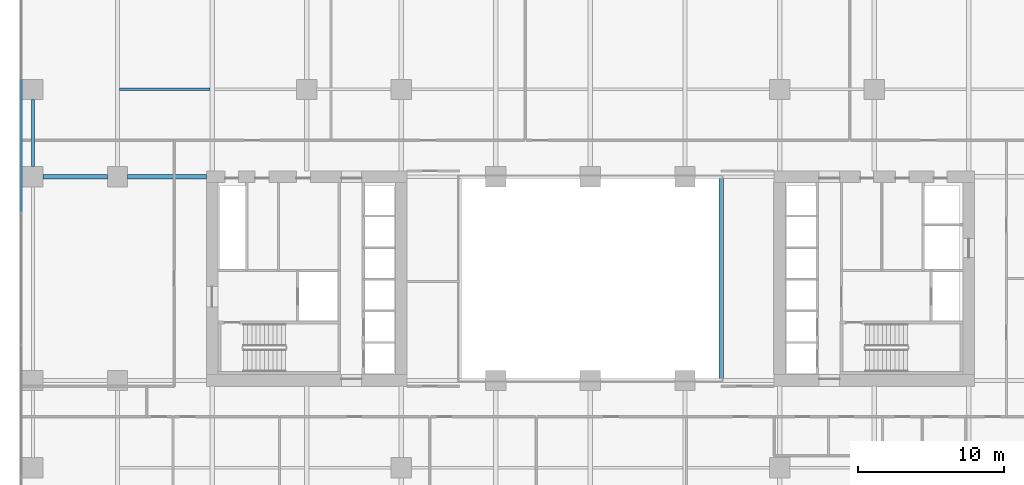
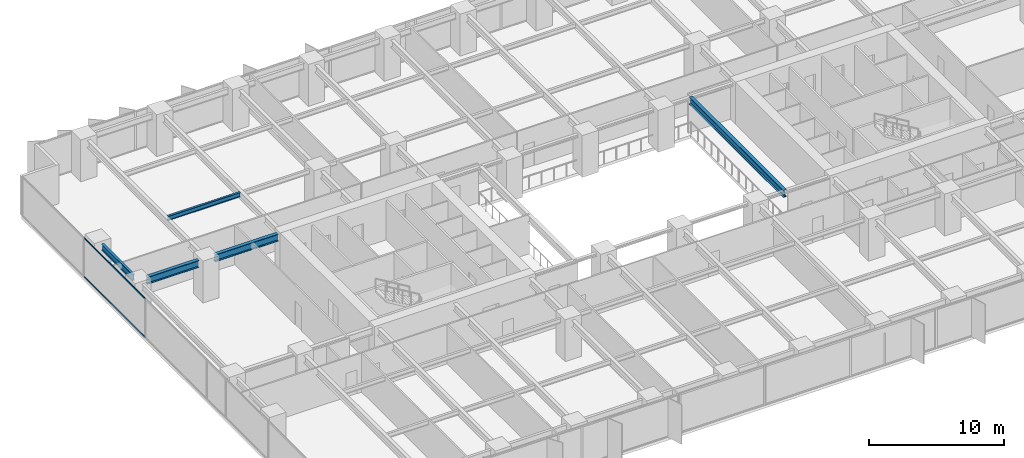
# One storey, part 6 of 20: 5 beams, 2 members, 1 element without a shape of its own.
"""IFC4 building model written with IfcOpenShell, lengths in metres."""

from ifc_helpers import new_model, si_unit, direction, frame, origin, origin_2d, place, context, subcontext, project, spatial, rectangle, i_section, extrude, material, layer, layer_set, material_profile, profile_set, type_object, element, aggregate, save


model = new_model("IFC4")

# Units and contexts
model_context = context("Model", 3, precision=1e-05, world=origin(), true_north=direction((0.0, 1.0)))
body_context = subcontext(model_context, "Body", "Model", "MODEL_VIEW")
ifc_project = project(units=[si_unit("LENGTHUNIT", "METRE"), si_unit("AREAUNIT", "SQUARE_METRE"), si_unit("VOLUMEUNIT", "CUBIC_METRE"), si_unit("PLANEANGLEUNIT", "RADIAN"), si_unit("MASSUNIT", "GRAM", prefix="KILO")], contexts=[model_context])

# Site, building, storey
site_placement = place(None, origin())
site = spatial("IfcSite", under=ifc_project, at=site_placement, CompositionType="ELEMENT")
building_placement = place(site_placement, origin())
building = spatial("IfcBuilding", under=site, at=building_placement, Name="Putna Gate Headquarters", CompositionType="ELEMENT")
storey_placement = place(building_placement, frame((0.0, 0.0, 62.0)))
storey = spatial("IfcBuildingStorey", under=building, at=storey_placement, Name="L14", CompositionType="ELEMENT", Elevation=62.0)

# Beams
ifc_material_1 = material(Name="Steel S355J2", Category="steel")
ifc_material_profile_1 = material_profile(ifc_material_1, i_section(OverallWidth=0.300048828125, OverallDepth=0.64990234375, WebThickness=0.01611328125, FlangeThickness=0.031005859375, at=origin_2d()), Name="Steel S355J2")
ifc_profile_set_1 = profile_set([ifc_material_profile_1], Name="Steel S355J2")
beam_type_1 = type_object("IfcBeamType", Name="BM-GIRD-Z1-HEB650", PredefinedType="USERDEFINED", material=ifc_profile_set_1)
beam_1_placement = place(storey_placement, frame((1.367919921875, 33.0, 3.22509765625), z_axis=(1.0, 0.0, 0.0), x_axis=(0.0, 1.0, 0.0)))
element("IfcBeam", 1, at=beam_1_placement, inside=storey, type_object=beam_type_1, Name="L14 West Wing Girder Y33-1", ObjectType="GIRDER", PredefinedType="USERDEFINED", context=body_context, shape_type="SweptSolid", body=[
    extrude(i_section(OverallWidth=0.300048828125, OverallDepth=0.64990234375, WebThickness=0.01611328125, FlangeThickness=0.031005859375, at=origin_2d()), origin(), (0.0, 0.0, 1.0), 4.444091796875),
])
beam_2_placement = place(storey_placement, frame((7.18798828125, 33.0, 3.22509765625), z_axis=(1.0, 0.0, 0.0), x_axis=(0.0, 1.0, 0.0)))
element("IfcBeam", 2, at=beam_2_placement, inside=storey, type_object=beam_type_1, Name="L14 West Wing Girder Y33-2", ObjectType="GIRDER", PredefinedType="USERDEFINED", context=body_context, shape_type="SweptSolid", body=[
    extrude(i_section(OverallWidth=0.300048828125, OverallDepth=0.64990234375, WebThickness=0.01611328125, FlangeThickness=0.031005859375, at=origin_2d()), origin(), (0.0, 0.0, 1.0), 5.427001953125),
])
beam_3_placement = place(storey_placement, frame((48.0, 19.010009765625, 3.22509765625), z_axis=(0.0, 1.0, 0.0), x_axis=(-1.0, 0.0, 0.0)))
element("IfcBeam", 3, at=beam_3_placement, inside=storey, type_object=beam_type_1, Name="L14 Atrium Trim Girder AE", ObjectType="GIRDER", PredefinedType="USERDEFINED", context=body_context, shape_type="SweptSolid", body=[
    extrude(i_section(OverallWidth=0.300048828125, OverallDepth=0.64990234375, WebThickness=0.01611328125, FlangeThickness=0.031005859375, at=origin_2d()), origin(), (0.0, 0.0, 1.0), 13.97998046875),
])
ifc_material_profile_2 = material_profile(ifc_material_1, i_section(OverallWidth=0.179931640625, OverallDepth=0.39990234375, WebThickness=0.008544921875, FlangeThickness=0.013427734375, at=origin_2d()), Name="Steel S355J2")
ifc_profile_set_2 = profile_set([ifc_material_profile_2], Name="Steel S355J2")
beam_type_2 = type_object("IfcBeamType", Name="BM-SEC-Z1-IPE400", PredefinedType="BEAM", material=ifc_profile_set_2)
beam_4_placement = place(storey_placement, frame((6.654052734375, 39.0, 3.35009765625), z_axis=(1.0, 0.0, 0.0), x_axis=(0.0, 1.0, 0.0)))
element("IfcBeam", 4, at=beam_4_placement, inside=storey, type_object=beam_type_2, Name="L14 North Secondary Beam 1", PredefinedType="BEAM", context=body_context, shape_type="SweptSolid", body=[
    extrude(i_section(OverallWidth=0.179931640625, OverallDepth=0.39990234375, WebThickness=0.008544921875, FlangeThickness=0.013427734375, at=origin_2d()), origin(), (0.0, 0.0, 1.0), 6.19189453125),
])
ifc_material_profile_3 = material_profile(ifc_material_1, i_section(OverallWidth=0.2099609375, OverallDepth=0.550048828125, WebThickness=0.010986328125, FlangeThickness=0.01708984375, at=origin_2d()), Name="Steel S355J2")
ifc_profile_set_3 = profile_set([ifc_material_profile_3], Name="Steel S355J2")
beam_type_3 = type_object("IfcBeamType", Name="BM-SPAN-Z1-IPE550", PredefinedType="SPANDREL", material=ifc_profile_set_3)
beam_5_placement = place(storey_placement, frame((0.679931640625, 33.68798828125, 3.27490234375), z_axis=(0.0, 1.0, 0.0), x_axis=(-1.0, 0.0, 0.0)))
element("IfcBeam", 5, at=beam_5_placement, inside=storey, type_object=beam_type_3, Name="L14 W End Spandrel 3", PredefinedType="SPANDREL", context=body_context, shape_type="SweptSolid", body=[
    extrude(i_section(OverallWidth=0.2099609375, OverallDepth=0.550048828125, WebThickness=0.010986328125, FlangeThickness=0.01708984375, at=origin_2d()), origin(), (0.0, 0.0, 1.0), 4.6240234375),
])

# Curtain wall, members
ifc_material_2 = material(Name="Anodised bronze aluminium curtain wall", Category="aluminium")
ifc_layer = layer(ifc_material_2, 0.179931640625)
ifc_layer_set = layer_set([ifc_layer], Name="Anodised bronze aluminium curtain wall")
curtain_wall_type = type_object("IfcCurtainWallType", Name="CW-SYS-Z1", PredefinedType="USERDEFINED", material=ifc_layer_set)
curtain_wall_placement = place(storey_placement, origin())
curtain_wall = element("IfcCurtainWall", 6, at=curtain_wall_placement, inside=storey, type_object=curtain_wall_type, Name="L14 West Curtain Wall", ObjectType="STICK CURTAIN WALL", PredefinedType="USERDEFINED")
ifc_material_3 = material(Name="Anodised bronze aluminium EN AW-6060", Category="aluminium")
ifc_material_profile_4 = material_profile(ifc_material_3, rectangle(XDim=0.06494140625, YDim=0.1201171875, at=origin_2d()), Name="Anodised bronze aluminium EN AW-6060")
ifc_profile_set_4 = profile_set([ifc_material_profile_4], Name="Anodised bronze aluminium EN AW-6060")
member_type = type_object("IfcMemberType", Name="TRAN-CWT-1", PredefinedType="USERDEFINED", material=ifc_profile_set_4)
member_1_placement = place(storey_placement, frame((-0.1201171875, 30.594970703125, 0.032470703125), z_axis=(0.0, 1.0, 0.0), x_axis=(-1.0, 0.0, 0.0)))
member_1 = element("IfcMember", 7, at=member_1_placement, type_object=member_type, Name="CWS-1 transom 4.1", ObjectType="TRANSOM", PredefinedType="USERDEFINED", context=body_context, shape_type="SweptSolid", body=[
    extrude(rectangle(XDim=0.06494140625, YDim=0.1201171875, at=origin_2d()), origin(), (0.0, 0.0, 1.0), 9.050048828125),
])
member_2_placement = place(storey_placement, frame((-0.1201171875, 30.594970703125, 3.517578125), z_axis=(0.0, 1.0, 0.0), x_axis=(-1.0, 0.0, 0.0)))
member_2 = element("IfcMember", 8, at=member_2_placement, type_object=member_type, Name="CWS-1 transom 4.2", ObjectType="TRANSOM", PredefinedType="USERDEFINED", context=body_context, shape_type="SweptSolid", body=[
    extrude(rectangle(XDim=0.06494140625, YDim=0.1201171875, at=origin_2d()), origin(), (0.0, 0.0, 1.0), 9.050048828125),
])
aggregate(curtain_wall, [member_1, member_2])

save(model, "model.ifc")
